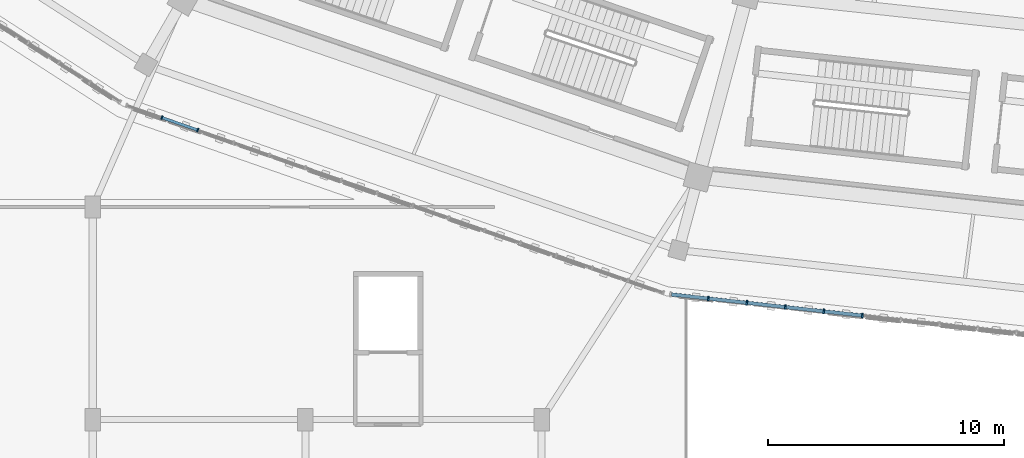
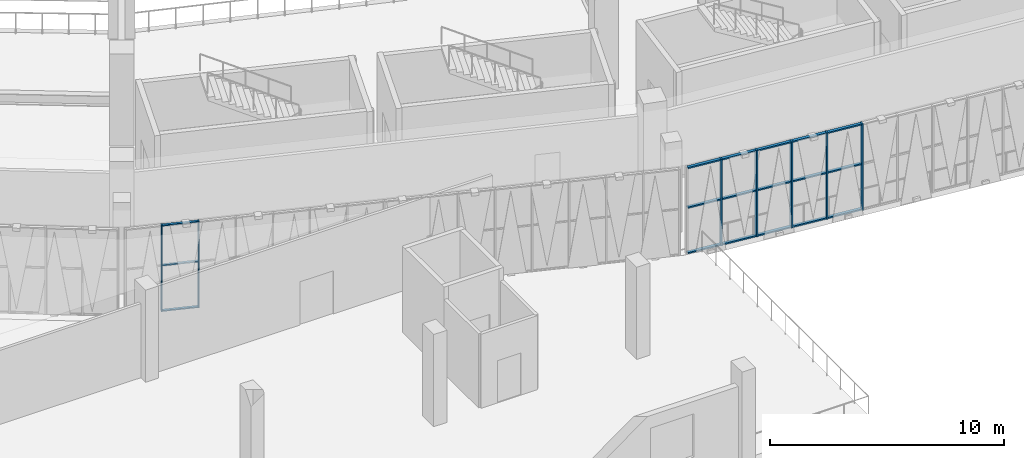
# One storey, part 14 of 179: 25 members, 2 elements without a shape of their own.
"""IFC4 building model written with IfcOpenShell, lengths in metres."""

from ifc_helpers import new_model, si_unit, direction, frame, origin, origin_2d, place, context, subcontext, project, spatial, rectangle, extrude, material, material_profile, profile_set, type_object, element, aggregate, save


model = new_model("IFC4")

# Units and contexts
model_context = context("Model", 3, precision=1e-05, world=origin(), true_north=direction((0.0, 1.0)))
body_context = subcontext(model_context, "Body", "Model", "MODEL_VIEW")
ifc_project = project(units=[si_unit("LENGTHUNIT", "METRE"), si_unit("AREAUNIT", "SQUARE_METRE"), si_unit("VOLUMEUNIT", "CUBIC_METRE"), si_unit("PLANEANGLEUNIT", "RADIAN"), si_unit("MASSUNIT", "GRAM", prefix="KILO")], contexts=[model_context])

# Site, building, storey
site_placement = place(None, origin())
site = spatial("IfcSite", under=ifc_project, at=site_placement, CompositionType="ELEMENT")
building_placement = place(site_placement, origin())
building = spatial("IfcBuilding", under=site, at=building_placement, Name="Zevraka Park Crest Stadium", CompositionType="ELEMENT")
storey_placement = place(building_placement, frame((0.0, 0.0, 10.199951171875)))
storey = spatial("IfcBuildingStorey", under=building, at=storey_placement, Name="L02", CompositionType="ELEMENT", Elevation=10.199951171875)

# Curtain wall, members
ifc_material_1 = material(Name="Anodised architectural aluminium and laminated safety glass", Category="aluminium")
curtain_wall_type_1 = type_object("IfcCurtainWallType", Name="CW07", PredefinedType="NOTDEFINED", material=ifc_material_1)
curtain_wall_1_placement = place(storey_placement, origin())
curtain_wall_1 = element("IfcCurtainWall", 1, at=curtain_wall_1_placement, inside=storey, type_object=curtain_wall_type_1, Name="Unitised Ring Curtain Wall CW07 L02-16", PredefinedType="NOTDEFINED")
ifc_material_2 = material(Name="Anodised architectural aluminium", Category="aluminium")
ifc_material_profile_1 = material_profile(ifc_material_2, rectangle(XDim=0.159912109375, YDim=0.06005859375, at=origin_2d()), Name="ALU MULLION 160x60")
ifc_profile_set_1 = profile_set([ifc_material_profile_1], Name="Anodised architectural aluminium")
member_type_1 = type_object("IfcMemberType", Name="CM01", PredefinedType="MULLION", material=ifc_profile_set_1)
member_1_placement = place(storey_placement, frame((65.9267578125, 21.7841796875, 0.0), z_axis=(0.0, 0.0, 1.0), x_axis=(0.329618886002, 0.944114076789, 0.0)))
member_1 = element("IfcMember", 2, at=member_1_placement, type_object=member_type_1, Name="CW07 mullion 2", PredefinedType="MULLION", context=body_context, shape_type="SweptSolid", body=[
    extrude(rectangle(XDim=0.159912109375, YDim=0.06005859375, at=origin_2d()), origin(), (0.0, 0.0, 1.0), 4.5),
])
member_2_placement = place(storey_placement, frame((67.44482421875, 21.254150390625, 0.0), z_axis=(0.0, 0.0, 1.0), x_axis=(0.329618886002, 0.944114076789, 0.0)))
member_2 = element("IfcMember", 3, at=member_2_placement, type_object=member_type_1, Name="CW07 mullion 3", PredefinedType="MULLION", context=body_context, shape_type="SweptSolid", body=[
    extrude(rectangle(XDim=0.159912109375, YDim=0.06005859375, at=origin_2d()), origin(), (0.0, 0.0, 1.0), 4.5),
])

ifc_material_3 = material(Name="Anodised architectural aluminium and laminated safety glass", Category="aluminium")
curtain_wall_type_2 = type_object("IfcCurtainWallType", Name="CW06", PredefinedType="NOTDEFINED", material=ifc_material_3)
curtain_wall_2_placement = place(storey_placement, origin())
curtain_wall_2 = element("IfcCurtainWall", 4, at=curtain_wall_2_placement, inside=storey, type_object=curtain_wall_type_2, Name="Unitised Ring Curtain Wall CW06 L02-17", PredefinedType="NOTDEFINED")
ifc_material_4 = material(Name="Anodised architectural aluminium", Category="aluminium")
ifc_material_profile_2 = material_profile(ifc_material_4, rectangle(XDim=0.199951171875, YDim=0.070068359375, at=origin_2d()), Name="ALU MULLION 200x70")
ifc_profile_set_2 = profile_set([ifc_material_profile_2], Name="Anodised architectural aluminium")
member_type_2 = type_object("IfcMemberType", Name="CM03", PredefinedType="MULLION", material=ifc_profile_set_2)
member_3_placement = place(storey_placement, frame((89.060302734375, 14.126220703125, 0.0), z_axis=(0.0, 0.0, 1.0), x_axis=(0.110293152687, 0.993899099743, 0.0)))
member_3 = element("IfcMember", 5, at=member_3_placement, type_object=member_type_2, Name="CW06 mullion 2", PredefinedType="MULLION", context=body_context, shape_type="SweptSolid", body=[
    extrude(rectangle(XDim=0.199951171875, YDim=0.070068359375, at=origin_2d()), origin(), (0.0, 0.0, 1.0), 4.5),
])
member_4_placement = place(storey_placement, frame((90.689453125, 13.9453125, 0.0), z_axis=(0.0, 0.0, 1.0), x_axis=(0.110293152687, 0.993899099743, 0.0)))
member_4 = element("IfcMember", 6, at=member_4_placement, type_object=member_type_2, Name="CW06 mullion 3", PredefinedType="MULLION", context=body_context, shape_type="SweptSolid", body=[
    extrude(rectangle(XDim=0.199951171875, YDim=0.070068359375, at=origin_2d()), origin(), (0.0, 0.0, 1.0), 4.5),
])
member_5_placement = place(storey_placement, frame((92.31884765625, 13.7646484375, 0.0), z_axis=(0.0, 0.0, 1.0), x_axis=(0.110293152687, 0.993899099743, 0.0)))
member_5 = element("IfcMember", 7, at=member_5_placement, type_object=member_type_2, Name="CW06 mullion 4", PredefinedType="MULLION", context=body_context, shape_type="SweptSolid", body=[
    extrude(rectangle(XDim=0.199951171875, YDim=0.070068359375, at=origin_2d()), origin(), (0.0, 0.0, 1.0), 4.5),
])
member_6_placement = place(storey_placement, frame((93.947998046875, 13.583740234375, 0.0), z_axis=(0.0, 0.0, 1.0), x_axis=(0.110293152687, 0.993899099743, 0.0)))
member_6 = element("IfcMember", 8, at=member_6_placement, type_object=member_type_2, Name="CW06 mullion 5", PredefinedType="MULLION", context=body_context, shape_type="SweptSolid", body=[
    extrude(rectangle(XDim=0.199951171875, YDim=0.070068359375, at=origin_2d()), origin(), (0.0, 0.0, 1.0), 4.5),
])
member_7_placement = place(storey_placement, frame((95.577392578125, 13.403076171875, 0.0), z_axis=(0.0, 0.0, 1.0), x_axis=(0.110293152687, 0.993899099743, 0.0)))
member_7 = element("IfcMember", 9, at=member_7_placement, type_object=member_type_2, Name="CW06 mullion 6", PredefinedType="MULLION", context=body_context, shape_type="SweptSolid", body=[
    extrude(rectangle(XDim=0.199951171875, YDim=0.070068359375, at=origin_2d()), origin(), (0.0, 0.0, 1.0), 4.5),
])

# Member
ifc_material_5 = material(Name="Anodised architectural aluminium", Category="aluminium")
ifc_material_profile_3 = material_profile(ifc_material_5, rectangle(XDim=0.1201171875, YDim=0.06005859375, at=origin_2d()), Name="ALU TRANSOM 120x60")
ifc_profile_set_3 = profile_set([ifc_material_profile_3], Name="Anodised architectural aluminium")
member_type_3 = type_object("IfcMemberType", Name="CT01", PredefinedType="USERDEFINED", material=ifc_profile_set_3)
member_8_placement = place(storey_placement, frame((65.955078125, 21.774169921875, 0.030029296875), z_axis=(0.944108889955, -0.329633742066, 0.0), x_axis=(0.329633742066, 0.944108889955, 0.0)))
member_8 = element("IfcMember", 10, at=member_8_placement, type_object=member_type_3, Name="CW07 transom 2.1", ObjectType="TRANSOM", PredefinedType="USERDEFINED", context=body_context, shape_type="SweptSolid", body=[
    extrude(rectangle(XDim=0.1201171875, YDim=0.06005859375, at=origin_2d()), origin(), (0.0, 0.0, 1.0), 1.5478515625),
])

member_9_placement = place(storey_placement, frame((65.955078125, 21.774169921875, 2.400146484375), z_axis=(0.944108889955, -0.329633742066, 0.0), x_axis=(0.329633742066, 0.944108889955, 0.0)))
member_9 = element("IfcMember", 11, at=member_9_placement, type_object=member_type_3, Name="CW07 transom 2.2", ObjectType="TRANSOM", PredefinedType="USERDEFINED", context=body_context, shape_type="SweptSolid", body=[
    extrude(rectangle(XDim=0.1201171875, YDim=0.06005859375, at=origin_2d()), origin(), (0.0, 0.0, 1.0), 1.5478515625),
])

member_10_placement = place(storey_placement, frame((65.955078125, 21.774169921875, 4.469970703125), z_axis=(0.944108889955, -0.329633742066, 0.0), x_axis=(0.329633742066, 0.944108889955, 0.0)))
member_10 = element("IfcMember", 12, at=member_10_placement, type_object=member_type_3, Name="CW07 transom 2.3", ObjectType="TRANSOM", PredefinedType="USERDEFINED", context=body_context, shape_type="SweptSolid", body=[
    extrude(rectangle(XDim=0.1201171875, YDim=0.06005859375, at=origin_2d()), origin(), (0.0, 0.0, 1.0), 1.5478515625),
])

aggregate(curtain_wall_1, [member_1, member_2, member_8, member_9, member_10])

ifc_material_6 = material(Name="Anodised architectural aluminium", Category="aluminium")
ifc_material_profile_4 = material_profile(ifc_material_6, rectangle(XDim=0.14990234375, YDim=0.070068359375, at=origin_2d()), Name="ALU TRANSOM 150x70")
ifc_profile_set_4 = profile_set([ifc_material_profile_4], Name="Anodised architectural aluminium")
member_type_4 = type_object("IfcMemberType", Name="CT03", PredefinedType="USERDEFINED", material=ifc_profile_set_4)
member_11_placement = place(storey_placement, frame((87.50048828125, 14.29931640625, 0.03515625), z_axis=(0.993901187296, -0.110274339224, 0.0), x_axis=(0.110274339224, 0.993901187296, 0.0)))
member_11 = element("IfcMember", 13, at=member_11_placement, type_object=member_type_4, Name="CW06 transom 1.1", ObjectType="TRANSOM", PredefinedType="USERDEFINED", context=body_context, shape_type="SweptSolid", body=[
    extrude(rectangle(XDim=0.14990234375, YDim=0.070068359375, at=origin_2d()), origin(), (0.0, 0.0, 1.0), 1.5341796875),
])

member_12_placement = place(storey_placement, frame((87.50048828125, 14.29931640625, 2.400146484375), z_axis=(0.993901187296, -0.110274339224, 0.0), x_axis=(0.110274339224, 0.993901187296, 0.0)))
member_12 = element("IfcMember", 14, at=member_12_placement, type_object=member_type_4, Name="CW06 transom 1.2", ObjectType="TRANSOM", PredefinedType="USERDEFINED", context=body_context, shape_type="SweptSolid", body=[
    extrude(rectangle(XDim=0.14990234375, YDim=0.070068359375, at=origin_2d()), origin(), (0.0, 0.0, 1.0), 1.5341796875),
])

member_13_placement = place(storey_placement, frame((87.50048828125, 14.29931640625, 4.465087890625), z_axis=(0.993901187296, -0.110274339224, 0.0), x_axis=(0.110274339224, 0.993901187296, 0.0)))
member_13 = element("IfcMember", 15, at=member_13_placement, type_object=member_type_4, Name="CW06 transom 1.3", ObjectType="TRANSOM", PredefinedType="USERDEFINED", context=body_context, shape_type="SweptSolid", body=[
    extrude(rectangle(XDim=0.14990234375, YDim=0.070068359375, at=origin_2d()), origin(), (0.0, 0.0, 1.0), 1.5341796875),
])

member_14_placement = place(storey_placement, frame((89.094970703125, 14.122314453125, 0.03515625), z_axis=(0.993898902271, -0.110294932182, 0.0), x_axis=(0.110294932182, 0.993898902271, 0.0)))
member_14 = element("IfcMember", 16, at=member_14_placement, type_object=member_type_4, Name="CW06 transom 2.1", ObjectType="TRANSOM", PredefinedType="USERDEFINED", context=body_context, shape_type="SweptSolid", body=[
    extrude(rectangle(XDim=0.14990234375, YDim=0.070068359375, at=origin_2d()), origin(), (0.0, 0.0, 1.0), 1.5693359375),
])

member_15_placement = place(storey_placement, frame((89.094970703125, 14.122314453125, 2.400146484375), z_axis=(0.993898902271, -0.110294932182, 0.0), x_axis=(0.110294932182, 0.993898902271, 0.0)))
member_15 = element("IfcMember", 17, at=member_15_placement, type_object=member_type_4, Name="CW06 transom 2.2", ObjectType="TRANSOM", PredefinedType="USERDEFINED", context=body_context, shape_type="SweptSolid", body=[
    extrude(rectangle(XDim=0.14990234375, YDim=0.070068359375, at=origin_2d()), origin(), (0.0, 0.0, 1.0), 1.5693359375),
])

member_16_placement = place(storey_placement, frame((89.094970703125, 14.122314453125, 4.465087890625), z_axis=(0.993898902271, -0.110294932182, 0.0), x_axis=(0.110294932182, 0.993898902271, 0.0)))
member_16 = element("IfcMember", 18, at=member_16_placement, type_object=member_type_4, Name="CW06 transom 2.3", ObjectType="TRANSOM", PredefinedType="USERDEFINED", context=body_context, shape_type="SweptSolid", body=[
    extrude(rectangle(XDim=0.14990234375, YDim=0.070068359375, at=origin_2d()), origin(), (0.0, 0.0, 1.0), 1.5693359375),
])

member_17_placement = place(storey_placement, frame((90.724365234375, 13.941650390625, 0.03515625), z_axis=(0.993897009399, -0.11031198805, 0.0), x_axis=(0.11031198805, 0.993897009399, 0.0)))
member_17 = element("IfcMember", 19, at=member_17_placement, type_object=member_type_4, Name="CW06 transom 3.1", ObjectType="TRANSOM", PredefinedType="USERDEFINED", context=body_context, shape_type="SweptSolid", body=[
    extrude(rectangle(XDim=0.14990234375, YDim=0.070068359375, at=origin_2d()), origin(), (0.0, 0.0, 1.0), 1.569091796875),
])

member_18_placement = place(storey_placement, frame((90.724365234375, 13.941650390625, 2.400146484375), z_axis=(0.993897009399, -0.11031198805, 0.0), x_axis=(0.11031198805, 0.993897009399, 0.0)))
member_18 = element("IfcMember", 20, at=member_18_placement, type_object=member_type_4, Name="CW06 transom 3.2", ObjectType="TRANSOM", PredefinedType="USERDEFINED", context=body_context, shape_type="SweptSolid", body=[
    extrude(rectangle(XDim=0.14990234375, YDim=0.070068359375, at=origin_2d()), origin(), (0.0, 0.0, 1.0), 1.569091796875),
])

member_19_placement = place(storey_placement, frame((90.724365234375, 13.941650390625, 4.465087890625), z_axis=(0.993897009399, -0.11031198805, 0.0), x_axis=(0.11031198805, 0.993897009399, 0.0)))
member_19 = element("IfcMember", 21, at=member_19_placement, type_object=member_type_4, Name="CW06 transom 3.3", ObjectType="TRANSOM", PredefinedType="USERDEFINED", context=body_context, shape_type="SweptSolid", body=[
    extrude(rectangle(XDim=0.14990234375, YDim=0.070068359375, at=origin_2d()), origin(), (0.0, 0.0, 1.0), 1.569091796875),
])

member_20_placement = place(storey_placement, frame((92.353515625, 13.7607421875, 0.03515625), z_axis=(0.993898902271, -0.110294932182, 0.0), x_axis=(0.110294932182, 0.993898902271, 0.0)))
member_20 = element("IfcMember", 22, at=member_20_placement, type_object=member_type_4, Name="CW06 transom 4.1", ObjectType="TRANSOM", PredefinedType="USERDEFINED", context=body_context, shape_type="SweptSolid", body=[
    extrude(rectangle(XDim=0.14990234375, YDim=0.070068359375, at=origin_2d()), origin(), (0.0, 0.0, 1.0), 1.5693359375),
])

member_21_placement = place(storey_placement, frame((92.353515625, 13.7607421875, 2.400146484375), z_axis=(0.993898902271, -0.110294932182, 0.0), x_axis=(0.110294932182, 0.993898902271, 0.0)))
member_21 = element("IfcMember", 23, at=member_21_placement, type_object=member_type_4, Name="CW06 transom 4.2", ObjectType="TRANSOM", PredefinedType="USERDEFINED", context=body_context, shape_type="SweptSolid", body=[
    extrude(rectangle(XDim=0.14990234375, YDim=0.070068359375, at=origin_2d()), origin(), (0.0, 0.0, 1.0), 1.5693359375),
])

member_22_placement = place(storey_placement, frame((92.353515625, 13.7607421875, 4.465087890625), z_axis=(0.993898902271, -0.110294932182, 0.0), x_axis=(0.110294932182, 0.993898902271, 0.0)))
member_22 = element("IfcMember", 24, at=member_22_placement, type_object=member_type_4, Name="CW06 transom 4.3", ObjectType="TRANSOM", PredefinedType="USERDEFINED", context=body_context, shape_type="SweptSolid", body=[
    extrude(rectangle(XDim=0.14990234375, YDim=0.070068359375, at=origin_2d()), origin(), (0.0, 0.0, 1.0), 1.5693359375),
])

member_23_placement = place(storey_placement, frame((93.98291015625, 13.579833984375, 0.03515625), z_axis=(0.993897009399, -0.11031198805, 0.0), x_axis=(0.11031198805, 0.993897009399, 0.0)))
member_23 = element("IfcMember", 25, at=member_23_placement, type_object=member_type_4, Name="CW06 transom 5.1", ObjectType="TRANSOM", PredefinedType="USERDEFINED", context=body_context, shape_type="SweptSolid", body=[
    extrude(rectangle(XDim=0.14990234375, YDim=0.070068359375, at=origin_2d()), origin(), (0.0, 0.0, 1.0), 1.569091796875),
])

member_24_placement = place(storey_placement, frame((93.98291015625, 13.579833984375, 2.400146484375), z_axis=(0.993897009399, -0.11031198805, 0.0), x_axis=(0.11031198805, 0.993897009399, 0.0)))
member_24 = element("IfcMember", 26, at=member_24_placement, type_object=member_type_4, Name="CW06 transom 5.2", ObjectType="TRANSOM", PredefinedType="USERDEFINED", context=body_context, shape_type="SweptSolid", body=[
    extrude(rectangle(XDim=0.14990234375, YDim=0.070068359375, at=origin_2d()), origin(), (0.0, 0.0, 1.0), 1.569091796875),
])

member_25_placement = place(storey_placement, frame((93.98291015625, 13.579833984375, 4.465087890625), z_axis=(0.993897009399, -0.11031198805, 0.0), x_axis=(0.11031198805, 0.993897009399, 0.0)))
member_25 = element("IfcMember", 27, at=member_25_placement, type_object=member_type_4, Name="CW06 transom 5.3", ObjectType="TRANSOM", PredefinedType="USERDEFINED", context=body_context, shape_type="SweptSolid", body=[
    extrude(rectangle(XDim=0.14990234375, YDim=0.070068359375, at=origin_2d()), origin(), (0.0, 0.0, 1.0), 1.569091796875),
])

aggregate(curtain_wall_2, [member_3, member_4, member_5, member_6, member_7, member_11, member_12, member_13, member_14, member_15, member_16, member_17, member_18, member_19, member_20, member_21, member_22, member_23, member_24, member_25])

save(model, "model.ifc")
